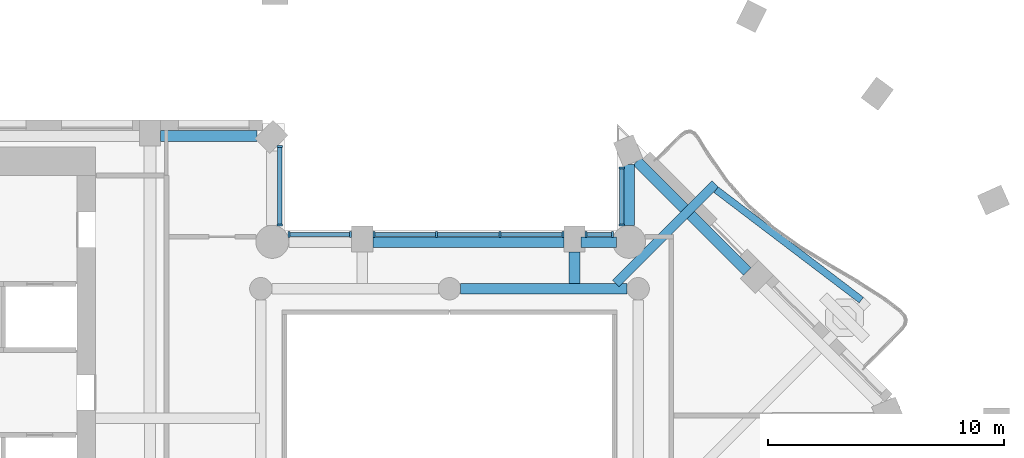
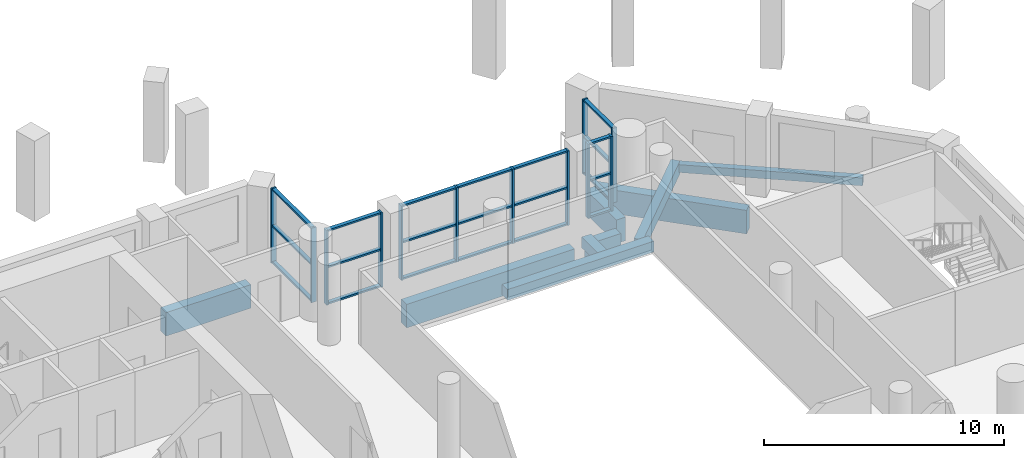
# One storey, part 2 of 14: 33 members, 9 beams, 5 elements without a shape of their own.
"""IFC4 building model written with IfcOpenShell, lengths in metres."""

from ifc_helpers import new_model, si_unit, direction, frame, origin, origin_2d, place, context, subcontext, project, spatial, rectangle, extrude, material, material_profile, profile_set, type_object, element, aggregate, save


model = new_model("IFC4")

# Units and contexts
model_context = context("Model", 3, precision=1e-05, world=origin(), true_north=direction((0.0, 1.0)))
body_context = subcontext(model_context, "Body", "Model", "MODEL_VIEW")
ifc_project = project(units=[si_unit("LENGTHUNIT", "METRE"), si_unit("AREAUNIT", "SQUARE_METRE"), si_unit("VOLUMEUNIT", "CUBIC_METRE"), si_unit("PLANEANGLEUNIT", "RADIAN"), si_unit("MASSUNIT", "GRAM", prefix="KILO")], contexts=[model_context])

# Site, building, storey
site_placement = place(None, origin())
site = spatial("IfcSite", under=ifc_project, at=site_placement, CompositionType="ELEMENT")
building_placement = place(site_placement, origin())
building = spatial("IfcBuilding", under=site, at=building_placement, Name="Cypress Arch Tower", CompositionType="ELEMENT")
storey_placement = place(building_placement, frame((0.0, 0.0, 222.0)))
storey = spatial("IfcBuildingStorey", under=building, at=storey_placement, Name="L49", CompositionType="ELEMENT", Elevation=222.0)

# Beams
ifc_material_1 = material(Name="Concrete C50/60", Category="concrete")
ifc_material_profile_1 = material_profile(ifc_material_1, rectangle(XDim=0.300048828125, YDim=0.39990234375, at=origin_2d()), Name="RC 300x400")
ifc_profile_set_1 = profile_set([ifc_material_profile_1], Name="Concrete C50/60")
beam_type_1 = type_object("IfcBeamType", Name="Balcony edge beam RC 300x400 Concrete C50/60", PredefinedType="BEAM", material=ifc_profile_set_1)
beam_1_placement = place(storey_placement, frame((18.459228515625, 9.517822265625, -0.5), z_axis=(-0.796103168804, 0.605160924565, 0.0), x_axis=(-0.605160924565, -0.796103168804, 0.0)))
element("IfcBeam", 1, at=beam_1_placement, inside=storey, type_object=beam_type_1, Name="Balcony edge beam L49 B05", PredefinedType="BEAM", context=body_context, shape_type="SweptSolid", body=[
    extrude(rectangle(XDim=0.300048828125, YDim=0.39990234375, at=origin_2d()), origin(), (0.0, 0.0, 1.0), 7.731689453125),
])
ifc_material_2 = material(Name="Concrete C50/60", Category="concrete")
ifc_material_profile_2 = material_profile(ifc_material_2, rectangle(XDim=0.39990234375, YDim=0.64990234375, at=origin_2d()), Name="RC 400x650")
ifc_profile_set_2 = profile_set([ifc_material_profile_2], Name="Concrete C50/60")
beam_type_2 = type_object("IfcBeamType", Name="Cantilever beam RC 400x650 Concrete C50/60", PredefinedType="BEAM", material=ifc_profile_set_2)
beam_2_placement = place(storey_placement, frame((8.04931640625, 10.22509765625, -0.625), z_axis=(0.707106781187, 0.707106781187, 0.0), x_axis=(-0.707106781187, 0.707106781187, 0.0)))
element("IfcBeam", 2, at=beam_2_placement, inside=storey, type_object=beam_type_2, Name="Cantilever beam L49 B05 2", PredefinedType="BEAM", context=body_context, shape_type="SweptSolid", body=[
    extrude(rectangle(XDim=0.39990234375, YDim=0.64990234375, at=origin_2d()), origin(), (0.0, 0.0, 1.0), 5.966796875),
])
ifc_material_3 = material(Name="Concrete C50/60", Category="concrete")
ifc_material_profile_3 = material_profile(ifc_material_3, rectangle(XDim=0.449951171875, YDim=0.550048828125, at=origin_2d()), Name="RC 450x550")
ifc_profile_set_3 = profile_set([ifc_material_profile_3], Name="Concrete C50/60")
beam_type_3 = type_object("IfcBeamType", Name="Floor beam RC 450x550 Concrete C50/60", PredefinedType="BEAM", material=ifc_profile_set_3)
beam_3_placement = place(storey_placement, frame((1.47509765625, 10.0, -0.574951171875), z_axis=(1.0, 0.0, 0.0), x_axis=(0.0, 1.0, 0.0)))
element("IfcBeam", 3, at=beam_3_placement, inside=storey, type_object=beam_type_3, Name="Floor beam L49 RB008", PredefinedType="BEAM", context=body_context, shape_type="SweptSolid", body=[
    extrude(rectangle(XDim=0.449951171875, YDim=0.550048828125, at=origin_2d()), origin(), (0.0, 0.0, 1.0), 7.0498046875),
])
beam_4_placement = place(storey_placement, frame((6.300048828125, 10.22509765625, -0.574951171875), z_axis=(0.0, 1.0, 0.0), x_axis=(-1.0, 0.0, 0.0)))
element("IfcBeam", 4, at=beam_4_placement, inside=storey, type_object=beam_type_3, Name="Floor beam L49 FB017", PredefinedType="BEAM", context=body_context, shape_type="SweptSolid", body=[
    extrude(rectangle(XDim=0.449951171875, YDim=0.550048828125, at=origin_2d()), origin(), (0.0, 0.0, 1.0), 1.324951171875),
])

# Curtain wall, members
ifc_material_4 = material(Name="Anodised aluminium, bronze finish, clear laminated double glazing", Category="aluminium")
curtain_wall_type = type_object("IfcCurtainWallType", Name="Curtain wall CW7 slot glazing", PredefinedType="NOTDEFINED", material=ifc_material_4)
curtain_wall_1_placement = place(storey_placement, origin())
curtain_wall_1 = element("IfcCurtainWall", 5, at=curtain_wall_1_placement, inside=storey, type_object=curtain_wall_type, Name="Curtain wall L49 slot B06.0", PredefinedType="NOTDEFINED")
ifc_material_5 = material(Name="Anodised aluminium, bronze finish", Category="aluminium")
ifc_material_profile_4 = material_profile(ifc_material_5, rectangle(XDim=0.239990234375, YDim=0.0849609375, at=origin_2d()), Name="Mullion 85x240")
ifc_profile_set_4 = profile_set([ifc_material_profile_4], Name="Anodised aluminium, bronze finish")
member_type_1 = type_object("IfcMemberType", Name="Mullion CW7 85x240", PredefinedType="MULLION", material=ifc_profile_set_4)
member_1_placement = place(storey_placement, frame((8.300048828125, 15.12744140625, 0.0), z_axis=(0.0, 0.0, 1.0), x_axis=(1.0, 0.0, 0.0)))
member_1 = element("IfcMember", 6, at=member_1_placement, type_object=member_type_1, Name="CW7 mullion 1", PredefinedType="MULLION", context=body_context, shape_type="SweptSolid", body=[
    extrude(rectangle(XDim=0.239990234375, YDim=0.0849609375, at=origin_2d()), origin(), (0.0, 0.0, 1.0), 3.800048828125),
])
member_2_placement = place(storey_placement, frame((8.300048828125, 12.697021484375, 0.0), z_axis=(0.0, 0.0, 1.0), x_axis=(1.0, 0.0, 0.0)))
member_2 = element("IfcMember", 7, at=member_2_placement, type_object=member_type_1, Name="CW7 mullion 2", PredefinedType="MULLION", context=body_context, shape_type="SweptSolid", body=[
    extrude(rectangle(XDim=0.239990234375, YDim=0.0849609375, at=origin_2d()), origin(), (0.0, 0.0, 1.0), 3.800048828125),
])

curtain_wall_2_placement = place(storey_placement, origin())
curtain_wall_2 = element("IfcCurtainWall", 8, at=curtain_wall_2_placement, inside=storey, type_object=curtain_wall_type, Name="Curtain wall L49 slot B07.0", PredefinedType="NOTDEFINED")
member_3_placement = place(storey_placement, frame((7.903076171875, 12.300048828125, 0.0), z_axis=(0.0, 0.0, 1.0), x_axis=(0.0, -1.0, 0.0)))
member_3 = element("IfcMember", 9, at=member_3_placement, type_object=member_type_1, Name="CW7 mullion 1", PredefinedType="MULLION", context=body_context, shape_type="SweptSolid", body=[
    extrude(rectangle(XDim=0.239990234375, YDim=0.0849609375, at=origin_2d()), origin(), (0.0, 0.0, 1.0), 3.800048828125),
])
member_4_placement = place(storey_placement, frame((6.79248046875, 12.300048828125, 0.0), z_axis=(0.0, 0.0, 1.0), x_axis=(0.0, -1.0, 0.0)))
member_4 = element("IfcMember", 10, at=member_4_placement, type_object=member_type_1, Name="CW7 mullion 2", PredefinedType="MULLION", context=body_context, shape_type="SweptSolid", body=[
    extrude(rectangle(XDim=0.239990234375, YDim=0.0849609375, at=origin_2d()), origin(), (0.0, 0.0, 1.0), 3.800048828125),
])

curtain_wall_3_placement = place(storey_placement, origin())
curtain_wall_3 = element("IfcCurtainWall", 11, at=curtain_wall_3_placement, inside=storey, type_object=curtain_wall_type, Name="Curtain wall L49 slot B07.1", PredefinedType="NOTDEFINED")
member_5_placement = place(storey_placement, frame((5.8076171875, 12.300048828125, 0.0), z_axis=(0.0, 0.0, 1.0), x_axis=(0.0, -1.0, 0.0)))
member_5 = element("IfcMember", 12, at=member_5_placement, type_object=member_type_1, Name="CW7 mullion 1", PredefinedType="MULLION", context=body_context, shape_type="SweptSolid", body=[
    extrude(rectangle(XDim=0.239990234375, YDim=0.0849609375, at=origin_2d()), origin(), (0.0, 0.0, 1.0), 3.800048828125),
])
member_6_placement = place(storey_placement, frame((3.14990234375, 12.300048828125, 0.0), z_axis=(0.0, 0.0, 1.0), x_axis=(0.0, -1.0, 0.0)))
member_6 = element("IfcMember", 13, at=member_6_placement, type_object=member_type_1, Name="CW7 mullion 2", PredefinedType="MULLION", context=body_context, shape_type="SweptSolid", body=[
    extrude(rectangle(XDim=0.239990234375, YDim=0.0849609375, at=origin_2d()), origin(), (0.0, 0.0, 1.0), 3.800048828125),
])
member_7_placement = place(storey_placement, frame((0.449951171875, 12.300048828125, 0.0), z_axis=(0.0, 0.0, 1.0), x_axis=(0.0, -1.0, 0.0)))
member_7 = element("IfcMember", 14, at=member_7_placement, type_object=member_type_1, Name="CW7 mullion 3", PredefinedType="MULLION", context=body_context, shape_type="SweptSolid", body=[
    extrude(rectangle(XDim=0.239990234375, YDim=0.0849609375, at=origin_2d()), origin(), (0.0, 0.0, 1.0), 3.800048828125),
])
member_8_placement = place(storey_placement, frame((-2.20751953125, 12.300048828125, 0.0), z_axis=(0.0, 0.0, 1.0), x_axis=(0.0, -1.0, 0.0)))
member_8 = element("IfcMember", 15, at=member_8_placement, type_object=member_type_1, Name="CW7 mullion 4", PredefinedType="MULLION", context=body_context, shape_type="SweptSolid", body=[
    extrude(rectangle(XDim=0.239990234375, YDim=0.0849609375, at=origin_2d()), origin(), (0.0, 0.0, 1.0), 3.800048828125),
])

curtain_wall_4_placement = place(storey_placement, origin())
curtain_wall_4 = element("IfcCurtainWall", 16, at=curtain_wall_4_placement, inside=storey, type_object=curtain_wall_type, Name="Curtain wall L49 slot B07.2", PredefinedType="NOTDEFINED")
member_9_placement = place(storey_placement, frame((-3.1923828125, 12.300048828125, 0.0), z_axis=(0.0, 0.0, 1.0), x_axis=(0.0, -1.0, 0.0)))
member_9 = element("IfcMember", 17, at=member_9_placement, type_object=member_type_1, Name="CW7 mullion 1", PredefinedType="MULLION", context=body_context, shape_type="SweptSolid", body=[
    extrude(rectangle(XDim=0.239990234375, YDim=0.0849609375, at=origin_2d()), origin(), (0.0, 0.0, 1.0), 3.800048828125),
])
member_10_placement = place(storey_placement, frame((-5.802978515625, 12.300048828125, 0.0), z_axis=(0.0, 0.0, 1.0), x_axis=(0.0, -1.0, 0.0)))
member_10 = element("IfcMember", 18, at=member_10_placement, type_object=member_type_1, Name="CW7 mullion 2", PredefinedType="MULLION", context=body_context, shape_type="SweptSolid", body=[
    extrude(rectangle(XDim=0.239990234375, YDim=0.0849609375, at=origin_2d()), origin(), (0.0, 0.0, 1.0), 3.800048828125),
])

curtain_wall_5_placement = place(storey_placement, origin())
curtain_wall_5 = element("IfcCurtainWall", 19, at=curtain_wall_5_placement, inside=storey, type_object=curtain_wall_type, Name="Curtain wall L49 slot B08.0", PredefinedType="NOTDEFINED")
member_11_placement = place(storey_placement, frame((-6.199951171875, 12.697021484375, 0.0), z_axis=(0.0, 0.0, 1.0), x_axis=(-1.0, 0.0, 0.0)))
member_11 = element("IfcMember", 20, at=member_11_placement, type_object=member_type_1, Name="CW7 mullion 1", PredefinedType="MULLION", context=body_context, shape_type="SweptSolid", body=[
    extrude(rectangle(XDim=0.239990234375, YDim=0.0849609375, at=origin_2d()), origin(), (0.0, 0.0, 1.0), 3.800048828125),
])
member_12_placement = place(storey_placement, frame((-6.199951171875, 16.02099609375, 0.0), z_axis=(0.0, 0.0, 1.0), x_axis=(-1.0, 0.0, 0.0)))
member_12 = element("IfcMember", 21, at=member_12_placement, type_object=member_type_1, Name="CW7 mullion 2", PredefinedType="MULLION", context=body_context, shape_type="SweptSolid", body=[
    extrude(rectangle(XDim=0.239990234375, YDim=0.0849609375, at=origin_2d()), origin(), (0.0, 0.0, 1.0), 3.800048828125),
])

# Beams
ifc_material_6 = material(Name="Concrete C50/60", Category="concrete")
ifc_material_profile_5 = material_profile(ifc_material_6, rectangle(XDim=0.449951171875, YDim=1.199951171875, at=origin_2d()), Name="RC 450x1200")
ifc_profile_set_5 = profile_set([ifc_material_profile_5], Name="Concrete C50/60")
beam_type_4 = type_object("IfcBeamType", Name="Spandrel beam RC 450x1200 Concrete C50/60", PredefinedType="SPANDREL", material=ifc_profile_set_5)
beam_5_placement = place(storey_placement, frame((13.622802734375, 10.73486328125, -1.550048828125), z_axis=(-0.707106781187, 0.707106781187, 0.0), x_axis=(-0.707106781187, -0.707106781187, 0.0)))
element("IfcBeam", 22, at=beam_5_placement, inside=storey, type_object=beam_type_4, Name="Spandrel beam L49 BB05-1", PredefinedType="SPANDREL", context=body_context, shape_type="SweptSolid", body=[
    extrude(rectangle(XDim=0.449951171875, YDim=1.199951171875, at=origin_2d()), origin(), (0.0, 0.0, 1.0), 6.610595703125),
])
beam_6_placement = place(storey_placement, frame((8.625, 15.275146484375, -1.550048828125), z_axis=(0.0, -1.0, 0.0), x_axis=(1.0, 0.0, 0.0)))
element("IfcBeam", 23, at=beam_6_placement, inside=storey, type_object=beam_type_4, Name="Spandrel beam L49 BB06-0", PredefinedType="SPANDREL", context=body_context, shape_type="SweptSolid", body=[
    extrude(rectangle(XDim=0.449951171875, YDim=1.199951171875, at=origin_2d()), origin(), (0.0, 0.0, 1.0), 2.587646484375),
])
beam_7_placement = place(storey_placement, frame((8.081298828125, 11.97509765625, -1.550048828125), z_axis=(-1.0, 0.0, 0.0), x_axis=(0.0, -1.0, 0.0)))
element("IfcBeam", 24, at=beam_7_placement, inside=storey, type_object=beam_type_4, Name="Spandrel beam L49 BB07-0", PredefinedType="SPANDREL", context=body_context, shape_type="SweptSolid", body=[
    extrude(rectangle(XDim=0.449951171875, YDim=1.199951171875, at=origin_2d()), origin(), (0.0, 0.0, 1.0), 1.5),
])
beam_8_placement = place(storey_placement, frame((5.85009765625, 11.97509765625, -1.550048828125), z_axis=(-1.0, 0.0, 0.0), x_axis=(0.0, -1.0, 0.0)))
element("IfcBeam", 25, at=beam_8_placement, inside=storey, type_object=beam_type_4, Name="Spandrel beam L49 BB07-1", PredefinedType="SPANDREL", context=body_context, shape_type="SweptSolid", body=[
    extrude(rectangle(XDim=0.449951171875, YDim=1.199951171875, at=origin_2d()), origin(), (0.0, 0.0, 1.0), 8.10009765625),
])
beam_9_placement = place(storey_placement, frame((-7.161376953125, 16.47509765625, -1.550048828125), z_axis=(-1.0, 0.0, 0.0), x_axis=(0.0, -1.0, 0.0)))
element("IfcBeam", 26, at=beam_9_placement, inside=storey, type_object=beam_type_4, Name="Spandrel beam L49 BB09-0", PredefinedType="SPANDREL", context=body_context, shape_type="SweptSolid", body=[
    extrude(rectangle(XDim=0.449951171875, YDim=1.199951171875, at=origin_2d()), origin(), (0.0, 0.0, 1.0), 4.088623046875),
])

# Member
ifc_material_7 = material(Name="Anodised aluminium, bronze finish", Category="aluminium")
ifc_material_profile_6 = material_profile(ifc_material_7, rectangle(XDim=0.179931640625, YDim=0.0849609375, at=origin_2d()), Name="Transom 85x180")
ifc_profile_set_6 = profile_set([ifc_material_profile_6], Name="Anodised aluminium, bronze finish")
member_type_2 = type_object("IfcMemberType", Name="Transom CW7 85x180", PredefinedType="USERDEFINED", material=ifc_profile_set_6)
member_13_placement = place(storey_placement, frame((8.300048828125, 15.0849609375, 0.04248046875), z_axis=(0.0, -1.0, 0.0), x_axis=(1.0, 0.0, 0.0)))
member_13 = element("IfcMember", 27, at=member_13_placement, type_object=member_type_2, Name="CW7 transom 1.1", ObjectType="TRANSOM", PredefinedType="USERDEFINED", context=body_context, shape_type="SweptSolid", body=[
    extrude(rectangle(XDim=0.179931640625, YDim=0.0849609375, at=origin_2d()), origin(), (0.0, 0.0, 1.0), 2.345458984375),
])

member_14_placement = place(storey_placement, frame((8.300048828125, 15.0849609375, 1.89990234375), z_axis=(0.0, -1.0, 0.0), x_axis=(1.0, 0.0, 0.0)))
member_14 = element("IfcMember", 28, at=member_14_placement, type_object=member_type_2, Name="CW7 transom 1.2", ObjectType="TRANSOM", PredefinedType="USERDEFINED", context=body_context, shape_type="SweptSolid", body=[
    extrude(rectangle(XDim=0.179931640625, YDim=0.0849609375, at=origin_2d()), origin(), (0.0, 0.0, 1.0), 2.345458984375),
])

member_15_placement = place(storey_placement, frame((8.300048828125, 15.0849609375, 3.757568359375), z_axis=(0.0, -1.0, 0.0), x_axis=(1.0, 0.0, 0.0)))
member_15 = element("IfcMember", 29, at=member_15_placement, type_object=member_type_2, Name="CW7 transom 1.3", ObjectType="TRANSOM", PredefinedType="USERDEFINED", context=body_context, shape_type="SweptSolid", body=[
    extrude(rectangle(XDim=0.179931640625, YDim=0.0849609375, at=origin_2d()), origin(), (0.0, 0.0, 1.0), 2.345458984375),
])

aggregate(curtain_wall_1, [member_1, member_2, member_13, member_14, member_15])

member_16_placement = place(storey_placement, frame((7.8603515625, 12.300048828125, 0.04248046875), z_axis=(-1.0, 0.0, 0.0), x_axis=(0.0, -1.0, 0.0)))
member_16 = element("IfcMember", 30, at=member_16_placement, type_object=member_type_2, Name="CW7 transom 1.1", ObjectType="TRANSOM", PredefinedType="USERDEFINED", context=body_context, shape_type="SweptSolid", body=[
    extrude(rectangle(XDim=0.179931640625, YDim=0.0849609375, at=origin_2d()), origin(), (0.0, 0.0, 1.0), 1.025390625),
])

member_17_placement = place(storey_placement, frame((7.8603515625, 12.300048828125, 1.89990234375), z_axis=(-1.0, 0.0, 0.0), x_axis=(0.0, -1.0, 0.0)))
member_17 = element("IfcMember", 31, at=member_17_placement, type_object=member_type_2, Name="CW7 transom 1.2", ObjectType="TRANSOM", PredefinedType="USERDEFINED", context=body_context, shape_type="SweptSolid", body=[
    extrude(rectangle(XDim=0.179931640625, YDim=0.0849609375, at=origin_2d()), origin(), (0.0, 0.0, 1.0), 1.025390625),
])

member_18_placement = place(storey_placement, frame((7.8603515625, 12.300048828125, 3.757568359375), z_axis=(-1.0, 0.0, 0.0), x_axis=(0.0, -1.0, 0.0)))
member_18 = element("IfcMember", 32, at=member_18_placement, type_object=member_type_2, Name="CW7 transom 1.3", ObjectType="TRANSOM", PredefinedType="USERDEFINED", context=body_context, shape_type="SweptSolid", body=[
    extrude(rectangle(XDim=0.179931640625, YDim=0.0849609375, at=origin_2d()), origin(), (0.0, 0.0, 1.0), 1.025390625),
])

aggregate(curtain_wall_2, [member_3, member_4, member_16, member_17, member_18])

member_19_placement = place(storey_placement, frame((5.764892578125, 12.300048828125, 0.04248046875), z_axis=(-1.0, 0.0, 0.0), x_axis=(0.0, -1.0, 0.0)))
member_19 = element("IfcMember", 33, at=member_19_placement, type_object=member_type_2, Name="CW7 transom 1.1", ObjectType="TRANSOM", PredefinedType="USERDEFINED", context=body_context, shape_type="SweptSolid", body=[
    extrude(rectangle(XDim=0.179931640625, YDim=0.0849609375, at=origin_2d()), origin(), (0.0, 0.0, 1.0), 2.572509765625),
])

member_20_placement = place(storey_placement, frame((5.764892578125, 12.300048828125, 1.89990234375), z_axis=(-1.0, 0.0, 0.0), x_axis=(0.0, -1.0, 0.0)))
member_20 = element("IfcMember", 34, at=member_20_placement, type_object=member_type_2, Name="CW7 transom 1.2", ObjectType="TRANSOM", PredefinedType="USERDEFINED", context=body_context, shape_type="SweptSolid", body=[
    extrude(rectangle(XDim=0.179931640625, YDim=0.0849609375, at=origin_2d()), origin(), (0.0, 0.0, 1.0), 2.572509765625),
])

member_21_placement = place(storey_placement, frame((5.764892578125, 12.300048828125, 3.757568359375), z_axis=(-1.0, 0.0, 0.0), x_axis=(0.0, -1.0, 0.0)))
member_21 = element("IfcMember", 35, at=member_21_placement, type_object=member_type_2, Name="CW7 transom 1.3", ObjectType="TRANSOM", PredefinedType="USERDEFINED", context=body_context, shape_type="SweptSolid", body=[
    extrude(rectangle(XDim=0.179931640625, YDim=0.0849609375, at=origin_2d()), origin(), (0.0, 0.0, 1.0), 2.572509765625),
])

member_22_placement = place(storey_placement, frame((3.107421875, 12.300048828125, 0.04248046875), z_axis=(-1.0, 0.0, 0.0), x_axis=(0.0, -1.0, 0.0)))
member_22 = element("IfcMember", 36, at=member_22_placement, type_object=member_type_2, Name="CW7 transom 2.1", ObjectType="TRANSOM", PredefinedType="USERDEFINED", context=body_context, shape_type="SweptSolid", body=[
    extrude(rectangle(XDim=0.179931640625, YDim=0.0849609375, at=origin_2d()), origin(), (0.0, 0.0, 1.0), 2.614990234375),
])

member_23_placement = place(storey_placement, frame((3.107421875, 12.300048828125, 1.89990234375), z_axis=(-1.0, 0.0, 0.0), x_axis=(0.0, -1.0, 0.0)))
member_23 = element("IfcMember", 37, at=member_23_placement, type_object=member_type_2, Name="CW7 transom 2.2", ObjectType="TRANSOM", PredefinedType="USERDEFINED", context=body_context, shape_type="SweptSolid", body=[
    extrude(rectangle(XDim=0.179931640625, YDim=0.0849609375, at=origin_2d()), origin(), (0.0, 0.0, 1.0), 2.614990234375),
])

member_24_placement = place(storey_placement, frame((3.107421875, 12.300048828125, 3.757568359375), z_axis=(-1.0, 0.0, 0.0), x_axis=(0.0, -1.0, 0.0)))
member_24 = element("IfcMember", 38, at=member_24_placement, type_object=member_type_2, Name="CW7 transom 2.3", ObjectType="TRANSOM", PredefinedType="USERDEFINED", context=body_context, shape_type="SweptSolid", body=[
    extrude(rectangle(XDim=0.179931640625, YDim=0.0849609375, at=origin_2d()), origin(), (0.0, 0.0, 1.0), 2.614990234375),
])

member_25_placement = place(storey_placement, frame((0.407470703125, 12.300048828125, 0.04248046875), z_axis=(-1.0, 0.0, 0.0), x_axis=(0.0, -1.0, 0.0)))
member_25 = element("IfcMember", 39, at=member_25_placement, type_object=member_type_2, Name="CW7 transom 3.1", ObjectType="TRANSOM", PredefinedType="USERDEFINED", context=body_context, shape_type="SweptSolid", body=[
    extrude(rectangle(XDim=0.179931640625, YDim=0.0849609375, at=origin_2d()), origin(), (0.0, 0.0, 1.0), 2.572509765625),
])

member_26_placement = place(storey_placement, frame((0.407470703125, 12.300048828125, 1.89990234375), z_axis=(-1.0, 0.0, 0.0), x_axis=(0.0, -1.0, 0.0)))
member_26 = element("IfcMember", 40, at=member_26_placement, type_object=member_type_2, Name="CW7 transom 3.2", ObjectType="TRANSOM", PredefinedType="USERDEFINED", context=body_context, shape_type="SweptSolid", body=[
    extrude(rectangle(XDim=0.179931640625, YDim=0.0849609375, at=origin_2d()), origin(), (0.0, 0.0, 1.0), 2.572509765625),
])

member_27_placement = place(storey_placement, frame((0.407470703125, 12.300048828125, 3.757568359375), z_axis=(-1.0, 0.0, 0.0), x_axis=(0.0, -1.0, 0.0)))
member_27 = element("IfcMember", 41, at=member_27_placement, type_object=member_type_2, Name="CW7 transom 3.3", ObjectType="TRANSOM", PredefinedType="USERDEFINED", context=body_context, shape_type="SweptSolid", body=[
    extrude(rectangle(XDim=0.179931640625, YDim=0.0849609375, at=origin_2d()), origin(), (0.0, 0.0, 1.0), 2.572509765625),
])

aggregate(curtain_wall_3, [member_5, member_6, member_7, member_8, member_19, member_20, member_21, member_22, member_23, member_24, member_25, member_26, member_27])

member_28_placement = place(storey_placement, frame((-3.235107421875, 12.300048828125, 0.04248046875), z_axis=(-1.0, 0.0, 0.0), x_axis=(0.0, -1.0, 0.0)))
member_28 = element("IfcMember", 42, at=member_28_placement, type_object=member_type_2, Name="CW7 transom 1.1", ObjectType="TRANSOM", PredefinedType="USERDEFINED", context=body_context, shape_type="SweptSolid", body=[
    extrude(rectangle(XDim=0.179931640625, YDim=0.0849609375, at=origin_2d()), origin(), (0.0, 0.0, 1.0), 2.525390625),
])

member_29_placement = place(storey_placement, frame((-3.235107421875, 12.300048828125, 1.89990234375), z_axis=(-1.0, 0.0, 0.0), x_axis=(0.0, -1.0, 0.0)))
member_29 = element("IfcMember", 43, at=member_29_placement, type_object=member_type_2, Name="CW7 transom 1.2", ObjectType="TRANSOM", PredefinedType="USERDEFINED", context=body_context, shape_type="SweptSolid", body=[
    extrude(rectangle(XDim=0.179931640625, YDim=0.0849609375, at=origin_2d()), origin(), (0.0, 0.0, 1.0), 2.525390625),
])

member_30_placement = place(storey_placement, frame((-3.235107421875, 12.300048828125, 3.757568359375), z_axis=(-1.0, 0.0, 0.0), x_axis=(0.0, -1.0, 0.0)))
member_30 = element("IfcMember", 44, at=member_30_placement, type_object=member_type_2, Name="CW7 transom 1.3", ObjectType="TRANSOM", PredefinedType="USERDEFINED", context=body_context, shape_type="SweptSolid", body=[
    extrude(rectangle(XDim=0.179931640625, YDim=0.0849609375, at=origin_2d()), origin(), (0.0, 0.0, 1.0), 2.525390625),
])

aggregate(curtain_wall_4, [member_9, member_10, member_28, member_29, member_30])

member_31_placement = place(storey_placement, frame((-6.199951171875, 12.739501953125, 0.04248046875), z_axis=(0.0, 1.0, 0.0), x_axis=(-1.0, 0.0, 0.0)))
member_31 = element("IfcMember", 45, at=member_31_placement, type_object=member_type_2, Name="CW7 transom 1.1", ObjectType="TRANSOM", PredefinedType="USERDEFINED", context=body_context, shape_type="SweptSolid", body=[
    extrude(rectangle(XDim=0.179931640625, YDim=0.0849609375, at=origin_2d()), origin(), (0.0, 0.0, 1.0), 3.239013671875),
])

member_32_placement = place(storey_placement, frame((-6.199951171875, 12.739501953125, 1.89990234375), z_axis=(0.0, 1.0, 0.0), x_axis=(-1.0, 0.0, 0.0)))
member_32 = element("IfcMember", 46, at=member_32_placement, type_object=member_type_2, Name="CW7 transom 1.2", ObjectType="TRANSOM", PredefinedType="USERDEFINED", context=body_context, shape_type="SweptSolid", body=[
    extrude(rectangle(XDim=0.179931640625, YDim=0.0849609375, at=origin_2d()), origin(), (0.0, 0.0, 1.0), 3.239013671875),
])

member_33_placement = place(storey_placement, frame((-6.199951171875, 12.739501953125, 3.757568359375), z_axis=(0.0, 1.0, 0.0), x_axis=(-1.0, 0.0, 0.0)))
member_33 = element("IfcMember", 47, at=member_33_placement, type_object=member_type_2, Name="CW7 transom 1.3", ObjectType="TRANSOM", PredefinedType="USERDEFINED", context=body_context, shape_type="SweptSolid", body=[
    extrude(rectangle(XDim=0.179931640625, YDim=0.0849609375, at=origin_2d()), origin(), (0.0, 0.0, 1.0), 3.239013671875),
])

aggregate(curtain_wall_5, [member_11, member_12, member_31, member_32, member_33])

save(model, "model.ifc")
